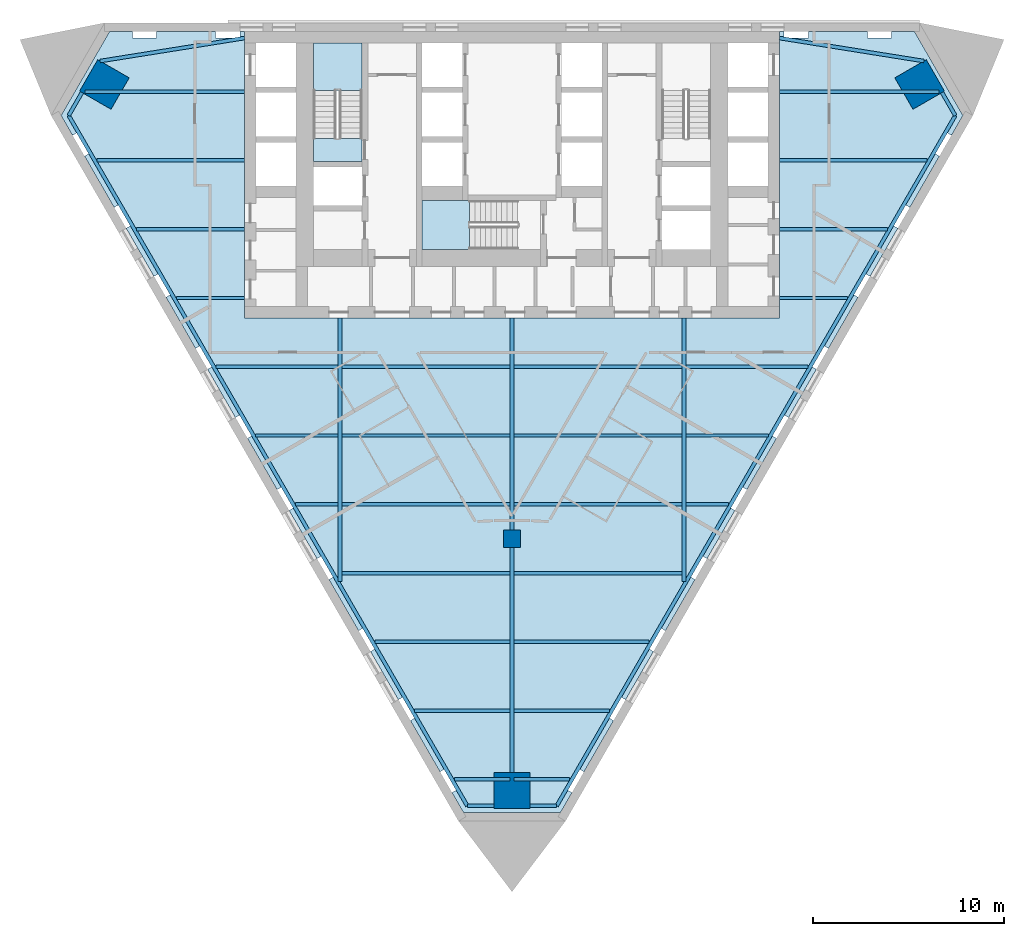
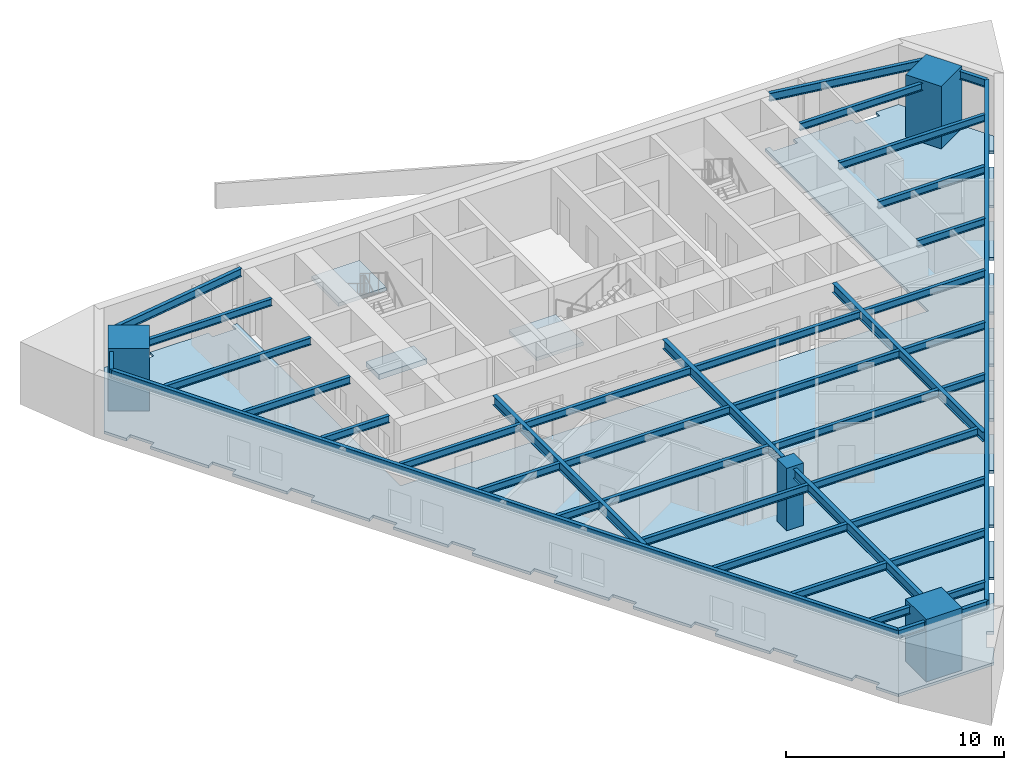
# One storey, part 1 of 10: 40 beams, 4 columns, 4 slabs, 2 elements without a shape of their own.
"""IFC4 building model written with IfcOpenShell, lengths in metres."""

from ifc_helpers import new_model, si_unit, direction, frame, origin, origin_2d, place, context, subcontext, project, spatial, polyline, rectangle, i_section, outline, extrude, material, layer, layer_set, material_profile, profile_set, type_object, element, aggregate, save


model = new_model("IFC4")

# Units and contexts
model_context = context("Model", 3, precision=1e-05, world=origin(), true_north=direction((0.0, 1.0)))
body_context = subcontext(model_context, "Body", "Model", "MODEL_VIEW")
ifc_project = project(units=[si_unit("LENGTHUNIT", "METRE"), si_unit("AREAUNIT", "SQUARE_METRE"), si_unit("VOLUMEUNIT", "CUBIC_METRE"), si_unit("PLANEANGLEUNIT", "RADIAN"), si_unit("MASSUNIT", "GRAM", prefix="KILO")], contexts=[model_context])

# Site, building, storey
site_placement = place(None, origin())
site = spatial("IfcSite", under=ifc_project, at=site_placement, CompositionType="ELEMENT")
building_placement = place(site_placement, origin())
building = spatial("IfcBuilding", under=site, at=building_placement, Name="Aloe Facet Convention Tower", CompositionType="ELEMENT")
storey_placement = place(building_placement, frame((0.0, 0.0, 85.300048828125)))
storey = spatial("IfcBuildingStorey", under=building, at=storey_placement, Name="L20", CompositionType="ELEMENT", Elevation=85.300048828125)

# Columns
ifc_material_1 = material(Name="Concrete C70/85", Category="concrete")
ifc_material_profile_1 = material_profile(ifc_material_1, rectangle(XDim=0.89990234375, YDim=0.89990234375, at=origin_2d()), Name="SF-GC-Z2")
ifc_profile_set_1 = profile_set([ifc_material_profile_1], Name="Concrete C70/85")
column_type_1 = type_object("IfcColumnType", Name="SF-GC-Z2", PredefinedType="COLUMN", material=ifc_profile_set_1)
column_placement = place(storey_placement, frame((80.0, 108.0, 0.0), z_axis=(0.0, 0.0, 1.0), x_axis=(1.0, 0.0, 0.0)))
element("IfcColumn", 1, at=column_placement, inside=storey, type_object=column_type_1, Name="Gravity column GC-Z2-9D", PredefinedType="COLUMN", context=body_context, shape_type="SweptSolid", body=[
    extrude(rectangle(XDim=0.89990234375, YDim=0.89990234375, at=origin_2d()), origin(), (0.0, 0.0, 1.0), 3.5),
])
ifc_material_2 = material(Name="Concrete C80/95", Category="concrete")
ifc_material_profile_2 = material_profile(ifc_material_2, rectangle(XDim=1.89990234375, YDim=1.89990234375, at=origin_2d()), Name="STW-MC-Z2")
ifc_profile_set_2 = profile_set([ifc_material_profile_2], Name="Concrete C80/95")
column_type_2 = type_object("IfcColumnType", Name="STW-MC-Z2", PredefinedType="COLUMN", material=ifc_profile_set_2)
for number, where, z_axis, x_axis, name in (
    (2, (101.3359375, 131.775146484375, 0.0), (0.0, 0.0, 1.0), (-0.5, 0.866025403784, 0.0), "Mega-column MC-NE-L20"),
    (3, (58.6640625, 131.775146484375, 0.0), (0.0, 0.0, 1.0), (-0.5, -0.866025403784, 0.0), "Mega-column MC-NW-L20"),
    (4, (80.0, 94.8203125, 0.0), (0.0, 0.0, 1.0), (1.0, 0.0, 0.0), "Mega-column MC-S-L20"),
):
    element("IfcColumn", number, at=place(storey_placement, frame(where, z_axis=z_axis, x_axis=x_axis)), inside=storey, type_object=column_type_2, Name=name, PredefinedType="COLUMN", context=body_context, shape_type="SweptSolid", body=[
        extrude(rectangle(XDim=1.89990234375, YDim=1.89990234375, at=origin_2d()), origin(), (0.0, 0.0, 1.0), 3.5),
    ])

# Beams
ifc_material_3 = material(Name="Steel S355", Category="steel")
ifc_material_profile_3 = material_profile(ifc_material_3, i_section(OverallWidth=0.177734375, OverallDepth=0.402587890625, WebThickness=0.0078125, FlangeThickness=0.010986328125, FilletRadius=0.01025390625, at=origin_2d()), Name="UB 406x178x54")
ifc_profile_set_3 = profile_set([ifc_material_profile_3], Name="Steel S355")
beam_type_1 = type_object("IfcBeamType", Name="SF-B-UB406x178x54", PredefinedType="BEAM", material=ifc_profile_set_3)
beam_1_placement = place(storey_placement, frame((57.6376953125, 131.39990234375, 3.148681640625), z_axis=(1.0, 0.0, 0.0), x_axis=(0.0, 1.0, 0.0)))
element("IfcBeam", 5, at=beam_1_placement, inside=storey, type_object=beam_type_1, Name="Floor beam FB-Z2B-013", PredefinedType="BEAM", context=body_context, shape_type="SweptSolid", body=[
    extrude(i_section(OverallWidth=0.177734375, OverallDepth=0.402587890625, WebThickness=0.0078125, FlangeThickness=0.010986328125, FilletRadius=0.01025390625, at=origin_2d()), origin(), (0.0, 0.0, 1.0), 8.3623046875),
])
beam_2_placement = place(storey_placement, frame((58.27294921875, 127.800048828125, 3.148681640625), z_axis=(1.0, 0.0, 0.0), x_axis=(0.0, 1.0, 0.0)))
element("IfcBeam", 6, at=beam_2_placement, inside=storey, type_object=beam_type_1, Name="Floor beam FB-Z2B-014", PredefinedType="BEAM", context=body_context, shape_type="SweptSolid", body=[
    extrude(i_section(OverallWidth=0.177734375, OverallDepth=0.402587890625, WebThickness=0.0078125, FlangeThickness=0.010986328125, FilletRadius=0.01025390625, at=origin_2d()), origin(), (0.0, 0.0, 1.0), 7.72705078125),
])
beam_3_placement = place(storey_placement, frame((60.351318359375, 124.199951171875, 3.148681640625), z_axis=(1.0, 0.0, 0.0), x_axis=(0.0, 1.0, 0.0)))
element("IfcBeam", 7, at=beam_3_placement, inside=storey, type_object=beam_type_1, Name="Floor beam FB-Z2B-015", PredefinedType="BEAM", context=body_context, shape_type="SweptSolid", body=[
    extrude(i_section(OverallWidth=0.177734375, OverallDepth=0.402587890625, WebThickness=0.0078125, FlangeThickness=0.010986328125, FilletRadius=0.01025390625, at=origin_2d()), origin(), (0.0, 0.0, 1.0), 5.648681640625),
])
beam_4_placement = place(storey_placement, frame((62.429931640625, 120.60009765625, 3.148681640625), z_axis=(1.0, 0.0, 0.0), x_axis=(0.0, 1.0, 0.0)))
element("IfcBeam", 8, at=beam_4_placement, inside=storey, type_object=beam_type_1, Name="Floor beam FB-Z2B-016", PredefinedType="BEAM", context=body_context, shape_type="SweptSolid", body=[
    extrude(i_section(OverallWidth=0.177734375, OverallDepth=0.402587890625, WebThickness=0.0078125, FlangeThickness=0.010986328125, FilletRadius=0.01025390625, at=origin_2d()), origin(), (0.0, 0.0, 1.0), 3.570068359375),
])
beam_5_placement = place(storey_placement, frame((64.50830078125, 117.0, 3.148681640625), z_axis=(1.0, 0.0, 0.0), x_axis=(0.0, 1.0, 0.0)))
element("IfcBeam", 9, at=beam_5_placement, inside=storey, type_object=beam_type_1, Name="Floor beam FB-Z2B-017", PredefinedType="BEAM", context=body_context, shape_type="SweptSolid", body=[
    extrude(i_section(OverallWidth=0.177734375, OverallDepth=0.402587890625, WebThickness=0.0078125, FlangeThickness=0.010986328125, FilletRadius=0.01025390625, at=origin_2d()), origin(), (0.0, 0.0, 1.0), 6.38623046875),
])
beam_6_placement = place(storey_placement, frame((66.5869140625, 113.39990234375, 3.148681640625), z_axis=(1.0, 0.0, 0.0), x_axis=(0.0, 1.0, 0.0)))
element("IfcBeam", 10, at=beam_6_placement, inside=storey, type_object=beam_type_1, Name="Floor beam FB-Z2B-018", PredefinedType="BEAM", context=body_context, shape_type="SweptSolid", body=[
    extrude(i_section(OverallWidth=0.177734375, OverallDepth=0.402587890625, WebThickness=0.0078125, FlangeThickness=0.010986328125, FilletRadius=0.01025390625, at=origin_2d()), origin(), (0.0, 0.0, 1.0), 4.3076171875),
])
beam_7_placement = place(storey_placement, frame((68.665283203125, 109.800048828125, 3.148681640625), z_axis=(1.0, 0.0, 0.0), x_axis=(0.0, 1.0, 0.0)))
element("IfcBeam", 11, at=beam_7_placement, inside=storey, type_object=beam_type_1, Name="Floor beam FB-Z2B-019", PredefinedType="BEAM", context=body_context, shape_type="SweptSolid", body=[
    extrude(i_section(OverallWidth=0.177734375, OverallDepth=0.402587890625, WebThickness=0.0078125, FlangeThickness=0.010986328125, FilletRadius=0.01025390625, at=origin_2d()), origin(), (0.0, 0.0, 1.0), 2.229248046875),
])
for number, where, z_axis, x_axis, name in (
    (12, (71.10546875, 106.199951171875, 3.148681640625), (1.0, 0.0, 0.0), (0.0, 1.0, 0.0), "Floor beam FB-Z2B-020"),
    (13, (71.10546875, 109.800048828125, 3.148681640625), (1.0, 0.0, 0.0), (0.0, 1.0, 0.0), "Floor beam FB-Z2B-021"),
    (14, (71.10546875, 113.39990234375, 3.148681640625), (1.0, 0.0, 0.0), (0.0, 1.0, 0.0), "Floor beam FB-Z2B-022"),
    (15, (71.10546875, 117.0, 3.148681640625), (1.0, 0.0, 0.0), (0.0, 1.0, 0.0), "Floor beam FB-Z2B-023"),
):
    element("IfcBeam", number, at=place(storey_placement, frame(where, z_axis=z_axis, x_axis=x_axis)), inside=storey, type_object=beam_type_1, Name=name, PredefinedType="BEAM", context=body_context, shape_type="SweptSolid", body=[
        extrude(i_section(OverallWidth=0.177734375, OverallDepth=0.402587890625, WebThickness=0.0078125, FlangeThickness=0.010986328125, FilletRadius=0.01025390625, at=origin_2d()), origin(), (0.0, 0.0, 1.0), 8.7890625),
    ])
beam_8_placement = place(storey_placement, frame((72.822265625, 102.60009765625, 3.148681640625), z_axis=(1.0, 0.0, 0.0), x_axis=(0.0, 1.0, 0.0)))
element("IfcBeam", 16, at=beam_8_placement, inside=storey, type_object=beam_type_1, Name="Floor beam FB-Z2B-024", PredefinedType="BEAM", context=body_context, shape_type="SweptSolid", body=[
    extrude(i_section(OverallWidth=0.177734375, OverallDepth=0.402587890625, WebThickness=0.0078125, FlangeThickness=0.010986328125, FilletRadius=0.01025390625, at=origin_2d()), origin(), (0.0, 0.0, 1.0), 7.072265625),
])
beam_9_placement = place(storey_placement, frame((74.900634765625, 99.0, 3.148681640625), z_axis=(1.0, 0.0, 0.0), x_axis=(0.0, 1.0, 0.0)))
element("IfcBeam", 17, at=beam_9_placement, inside=storey, type_object=beam_type_1, Name="Floor beam FB-Z2B-025", PredefinedType="BEAM", context=body_context, shape_type="SweptSolid", body=[
    extrude(i_section(OverallWidth=0.177734375, OverallDepth=0.402587890625, WebThickness=0.0078125, FlangeThickness=0.010986328125, FilletRadius=0.01025390625, at=origin_2d()), origin(), (0.0, 0.0, 1.0), 4.993896484375),
])
for number, where, z_axis, x_axis, name in (
    (18, (76.97900390625, 95.39990234375, 3.148681640625), (1.0, 0.0, 0.0), (0.0, 1.0, 0.0), "Floor beam FB-Z2B-026"),
    (19, (80.10546875, 95.39990234375, 3.148681640625), (1.0, 0.0, 0.0), (0.0, 1.0, 0.0), "Floor beam FB-Z2B-027"),
):
    element("IfcBeam", number, at=place(storey_placement, frame(where, z_axis=z_axis, x_axis=x_axis)), inside=storey, type_object=beam_type_1, Name=name, PredefinedType="BEAM", context=body_context, shape_type="SweptSolid", body=[
        extrude(i_section(OverallWidth=0.177734375, OverallDepth=0.402587890625, WebThickness=0.0078125, FlangeThickness=0.010986328125, FilletRadius=0.01025390625, at=origin_2d()), origin(), (0.0, 0.0, 1.0), 2.91552734375),
    ])
beam_10_placement = place(storey_placement, frame((80.10546875, 99.0, 3.148681640625), z_axis=(1.0, 0.0, 0.0), x_axis=(0.0, 1.0, 0.0)))
element("IfcBeam", 20, at=beam_10_placement, inside=storey, type_object=beam_type_1, Name="Floor beam FB-Z2B-028", PredefinedType="BEAM", context=body_context, shape_type="SweptSolid", body=[
    extrude(i_section(OverallWidth=0.177734375, OverallDepth=0.402587890625, WebThickness=0.0078125, FlangeThickness=0.010986328125, FilletRadius=0.01025390625, at=origin_2d()), origin(), (0.0, 0.0, 1.0), 4.993896484375),
])
beam_11_placement = place(storey_placement, frame((80.10546875, 102.60009765625, 3.148681640625), z_axis=(1.0, 0.0, 0.0), x_axis=(0.0, 1.0, 0.0)))
element("IfcBeam", 21, at=beam_11_placement, inside=storey, type_object=beam_type_1, Name="Floor beam FB-Z2B-029", PredefinedType="BEAM", context=body_context, shape_type="SweptSolid", body=[
    extrude(i_section(OverallWidth=0.177734375, OverallDepth=0.402587890625, WebThickness=0.0078125, FlangeThickness=0.010986328125, FilletRadius=0.01025390625, at=origin_2d()), origin(), (0.0, 0.0, 1.0), 7.072265625),
])
for number, where, z_axis, x_axis, name in (
    (22, (80.10546875, 106.199951171875, 3.148681640625), (1.0, 0.0, 0.0), (0.0, 1.0, 0.0), "Floor beam FB-Z2B-030"),
    (23, (80.10546875, 109.800048828125, 3.148681640625), (1.0, 0.0, 0.0), (0.0, 1.0, 0.0), "Floor beam FB-Z2B-031"),
    (24, (80.10546875, 113.39990234375, 3.148681640625), (1.0, 0.0, 0.0), (0.0, 1.0, 0.0), "Floor beam FB-Z2B-032"),
    (25, (80.10546875, 117.0, 3.148681640625), (1.0, 0.0, 0.0), (0.0, 1.0, 0.0), "Floor beam FB-Z2B-033"),
):
    element("IfcBeam", number, at=place(storey_placement, frame(where, z_axis=z_axis, x_axis=x_axis)), inside=storey, type_object=beam_type_1, Name=name, PredefinedType="BEAM", context=body_context, shape_type="SweptSolid", body=[
        extrude(i_section(OverallWidth=0.177734375, OverallDepth=0.402587890625, WebThickness=0.0078125, FlangeThickness=0.010986328125, FilletRadius=0.01025390625, at=origin_2d()), origin(), (0.0, 0.0, 1.0), 8.7890625),
    ])
beam_12_placement = place(storey_placement, frame((89.10546875, 109.800048828125, 3.148681640625), z_axis=(1.0, 0.0, 0.0), x_axis=(0.0, 1.0, 0.0)))
element("IfcBeam", 26, at=beam_12_placement, inside=storey, type_object=beam_type_1, Name="Floor beam FB-Z2B-034", PredefinedType="BEAM", context=body_context, shape_type="SweptSolid", body=[
    extrude(i_section(OverallWidth=0.177734375, OverallDepth=0.402587890625, WebThickness=0.0078125, FlangeThickness=0.010986328125, FilletRadius=0.01025390625, at=origin_2d()), origin(), (0.0, 0.0, 1.0), 2.229248046875),
])
beam_13_placement = place(storey_placement, frame((89.10546875, 113.39990234375, 3.148681640625), z_axis=(1.0, 0.0, 0.0), x_axis=(0.0, 1.0, 0.0)))
element("IfcBeam", 27, at=beam_13_placement, inside=storey, type_object=beam_type_1, Name="Floor beam FB-Z2B-035", PredefinedType="BEAM", context=body_context, shape_type="SweptSolid", body=[
    extrude(i_section(OverallWidth=0.177734375, OverallDepth=0.402587890625, WebThickness=0.0078125, FlangeThickness=0.010986328125, FilletRadius=0.01025390625, at=origin_2d()), origin(), (0.0, 0.0, 1.0), 4.3076171875),
])
beam_14_placement = place(storey_placement, frame((89.10546875, 117.0, 3.148681640625), z_axis=(1.0, 0.0, 0.0), x_axis=(0.0, 1.0, 0.0)))
element("IfcBeam", 28, at=beam_14_placement, inside=storey, type_object=beam_type_1, Name="Floor beam FB-Z2B-036", PredefinedType="BEAM", context=body_context, shape_type="SweptSolid", body=[
    extrude(i_section(OverallWidth=0.177734375, OverallDepth=0.402587890625, WebThickness=0.0078125, FlangeThickness=0.010986328125, FilletRadius=0.01025390625, at=origin_2d()), origin(), (0.0, 0.0, 1.0), 6.38623046875),
])
beam_15_placement = place(storey_placement, frame((94.0, 120.60009765625, 3.148681640625), z_axis=(1.0, 0.0, 0.0), x_axis=(0.0, 1.0, 0.0)))
element("IfcBeam", 29, at=beam_15_placement, inside=storey, type_object=beam_type_1, Name="Floor beam FB-Z2B-037", PredefinedType="BEAM", context=body_context, shape_type="SweptSolid", body=[
    extrude(i_section(OverallWidth=0.177734375, OverallDepth=0.402587890625, WebThickness=0.0078125, FlangeThickness=0.010986328125, FilletRadius=0.01025390625, at=origin_2d()), origin(), (0.0, 0.0, 1.0), 3.570068359375),
])
beam_16_placement = place(storey_placement, frame((94.0, 124.199951171875, 3.148681640625), z_axis=(1.0, 0.0, 0.0), x_axis=(0.0, 1.0, 0.0)))
element("IfcBeam", 30, at=beam_16_placement, inside=storey, type_object=beam_type_1, Name="Floor beam FB-Z2B-038", PredefinedType="BEAM", context=body_context, shape_type="SweptSolid", body=[
    extrude(i_section(OverallWidth=0.177734375, OverallDepth=0.402587890625, WebThickness=0.0078125, FlangeThickness=0.010986328125, FilletRadius=0.01025390625, at=origin_2d()), origin(), (0.0, 0.0, 1.0), 5.648681640625),
])
beam_17_placement = place(storey_placement, frame((94.0, 127.800048828125, 3.148681640625), z_axis=(1.0, 0.0, 0.0), x_axis=(0.0, 1.0, 0.0)))
element("IfcBeam", 31, at=beam_17_placement, inside=storey, type_object=beam_type_1, Name="Floor beam FB-Z2B-039", PredefinedType="BEAM", context=body_context, shape_type="SweptSolid", body=[
    extrude(i_section(OverallWidth=0.177734375, OverallDepth=0.402587890625, WebThickness=0.0078125, FlangeThickness=0.010986328125, FilletRadius=0.01025390625, at=origin_2d()), origin(), (0.0, 0.0, 1.0), 7.72705078125),
])
beam_18_placement = place(storey_placement, frame((94.0, 131.39990234375, 3.148681640625), z_axis=(1.0, 0.0, 0.0), x_axis=(0.0, 1.0, 0.0)))
element("IfcBeam", 32, at=beam_18_placement, inside=storey, type_object=beam_type_1, Name="Floor beam FB-Z2B-040", PredefinedType="BEAM", context=body_context, shape_type="SweptSolid", body=[
    extrude(i_section(OverallWidth=0.177734375, OverallDepth=0.402587890625, WebThickness=0.0078125, FlangeThickness=0.010986328125, FilletRadius=0.01025390625, at=origin_2d()), origin(), (0.0, 0.0, 1.0), 8.3623046875),
])
ifc_material_4 = material(Name="Steel S355", Category="steel")
ifc_material_profile_4 = material_profile(ifc_material_4, i_section(OverallWidth=0.18994140625, OverallDepth=0.453369140625, WebThickness=0.008544921875, FlangeThickness=0.0126953125, FilletRadius=0.01025390625, at=origin_2d()), Name="UB 457x191x67")
ifc_profile_set_4 = profile_set([ifc_material_profile_4], Name="Steel S355")
beam_type_2 = type_object("IfcBeamType", Name="SF-B-UB457x191x67", PredefinedType="BEAM", material=ifc_profile_set_4)
beam_19_placement = place(storey_placement, frame((56.79638671875, 130.150390625, 3.123291015625), z_axis=(0.500046568876, 0.865998515562, 0.0), x_axis=(-0.865998515562, 0.500046568876, 0.0)))
element("IfcBeam", 33, at=beam_19_placement, inside=storey, type_object=beam_type_2, Name="Floor beam FB-Z2B-001", PredefinedType="BEAM", context=body_context, shape_type="SweptSolid", body=[
    extrude(i_section(OverallWidth=0.18994140625, OverallDepth=0.453369140625, WebThickness=0.008544921875, FlangeThickness=0.0126953125, FilletRadius=0.01025390625, at=origin_2d()), origin(), (0.0, 0.0, 1.0), 1.390869140625),
])
beam_20_placement = place(storey_placement, frame((58.44189453125, 133.00048828125, 3.123291015625), z_axis=(0.987536396348, 0.15739080624, 0.0), x_axis=(-0.15739080624, 0.987536396348, 0.0)))
element("IfcBeam", 34, at=beam_20_placement, inside=storey, type_object=beam_type_2, Name="Floor beam FB-Z2B-002", PredefinedType="BEAM", context=body_context, shape_type="SweptSolid", body=[
    extrude(i_section(OverallWidth=0.18994140625, OverallDepth=0.453369140625, WebThickness=0.008544921875, FlangeThickness=0.0126953125, FilletRadius=0.01025390625, at=origin_2d()), origin(), (0.0, 0.0, 1.0), 7.653564453125),
])
beam_21_placement = place(storey_placement, frame((77.658935546875, 94.01513671875, 3.123291015625), z_axis=(-0.499997308433, 0.866026957756, 0.0), x_axis=(-0.866026957756, -0.499997308433, 0.0)))
element("IfcBeam", 35, at=beam_21_placement, inside=storey, type_object=beam_type_2, Name="Floor beam FB-Z2B-003", PredefinedType="BEAM", context=body_context, shape_type="SweptSolid", body=[
    extrude(i_section(OverallWidth=0.18994140625, OverallDepth=0.453369140625, WebThickness=0.008544921875, FlangeThickness=0.0126953125, FilletRadius=0.01025390625, at=origin_2d()), origin(), (0.0, 0.0, 1.0), 41.725341796875),
])
for number, where, z_axis, x_axis, name in (
    (36, (79.050048828125, 94.01513671875, 3.123291015625), (-1.0, 0.0, 0.0), (0.0, -1.0, 0.0), "Floor beam FB-Z2B-004"),
    (37, (82.341064453125, 94.01513671875, 3.123291015625), (-1.0, 0.0, 0.0), (0.0, -1.0, 0.0), "Floor beam FB-Z2B-005"),
):
    element("IfcBeam", number, at=place(storey_placement, frame(where, z_axis=z_axis, x_axis=x_axis)), inside=storey, type_object=beam_type_2, Name=name, PredefinedType="BEAM", context=body_context, shape_type="SweptSolid", body=[
        extrude(i_section(OverallWidth=0.18994140625, OverallDepth=0.453369140625, WebThickness=0.008544921875, FlangeThickness=0.0126953125, FilletRadius=0.01025390625, at=origin_2d()), origin(), (0.0, 0.0, 1.0), 1.39111328125),
    ])
beam_22_placement = place(storey_placement, frame((101.55810546875, 133.00048828125, 3.123291015625), z_axis=(-0.987536396348, 0.15739080624, 0.0), x_axis=(-0.15739080624, -0.987536396348, 0.0)))
element("IfcBeam", 38, at=beam_22_placement, inside=storey, type_object=beam_type_2, Name="Floor beam FB-Z2B-006", PredefinedType="BEAM", context=body_context, shape_type="SweptSolid", body=[
    extrude(i_section(OverallWidth=0.18994140625, OverallDepth=0.453369140625, WebThickness=0.008544921875, FlangeThickness=0.0126953125, FilletRadius=0.01025390625, at=origin_2d()), origin(), (0.0, 0.0, 1.0), 7.653564453125),
])
beam_23_placement = place(storey_placement, frame((102.508056640625, 131.35498046875, 3.123291015625), z_axis=(0.500046568876, -0.865998515562, 0.0), x_axis=(0.865998515562, 0.500046568876, 0.0)))
element("IfcBeam", 39, at=beam_23_placement, inside=storey, type_object=beam_type_2, Name="Floor beam FB-Z2B-007", PredefinedType="BEAM", context=body_context, shape_type="SweptSolid", body=[
    extrude(i_section(OverallWidth=0.18994140625, OverallDepth=0.453369140625, WebThickness=0.008544921875, FlangeThickness=0.0126953125, FilletRadius=0.01025390625, at=origin_2d()), origin(), (0.0, 0.0, 1.0), 1.390869140625),
])
beam_24_placement = place(storey_placement, frame((103.20361328125, 130.150390625, 3.123291015625), z_axis=(-0.499997308433, -0.866026957756, 0.0), x_axis=(0.866026957756, -0.499997308433, 0.0)))
element("IfcBeam", 40, at=beam_24_placement, inside=storey, type_object=beam_type_2, Name="Floor beam FB-Z2B-008", PredefinedType="BEAM", context=body_context, shape_type="SweptSolid", body=[
    extrude(i_section(OverallWidth=0.18994140625, OverallDepth=0.453369140625, WebThickness=0.008544921875, FlangeThickness=0.0126953125, FilletRadius=0.01025390625, at=origin_2d()), origin(), (0.0, 0.0, 1.0), 41.725341796875),
])
ifc_material_5 = material(Name="Steel S355", Category="steel")
ifc_material_profile_5 = material_profile(ifc_material_5, i_section(OverallWidth=0.210693359375, OverallDepth=0.53955078125, WebThickness=0.01171875, FlangeThickness=0.018798828125, FilletRadius=0.0126953125, at=origin_2d()), Name="UB 533x210x109")
ifc_profile_set_5 = profile_set([ifc_material_profile_5], Name="Steel S355")
beam_type_3 = type_object("IfcBeamType", Name="SF-B-UB533x210x109", PredefinedType="BEAM", material=ifc_profile_set_5)
beam_25_placement = place(storey_placement, frame((71.0, 119.550048828125, 3.080078125), z_axis=(0.0, -1.0, 0.0), x_axis=(1.0, 0.0, 0.0)))
element("IfcBeam", 41, at=beam_25_placement, inside=storey, type_object=beam_type_3, Name="Floor beam FB-Z2B-009", PredefinedType="BEAM", context=body_context, shape_type="SweptSolid", body=[
    extrude(i_section(OverallWidth=0.210693359375, OverallDepth=0.53955078125, WebThickness=0.01171875, FlangeThickness=0.018798828125, FilletRadius=0.0126953125, at=origin_2d()), origin(), (0.0, 0.0, 1.0), 13.80126953125),
])
beam_26_placement = place(storey_placement, frame((80.0, 107.550048828125, 3.080078125), z_axis=(0.0, -1.0, 0.0), x_axis=(1.0, 0.0, 0.0)))
element("IfcBeam", 42, at=beam_26_placement, inside=storey, type_object=beam_type_3, Name="Floor beam FB-Z2B-010", PredefinedType="BEAM", context=body_context, shape_type="SweptSolid", body=[
    extrude(i_section(OverallWidth=0.210693359375, OverallDepth=0.53955078125, WebThickness=0.01171875, FlangeThickness=0.018798828125, FilletRadius=0.0126953125, at=origin_2d()), origin(), (0.0, 0.0, 1.0), 13.429931640625),
])
beam_27_placement = place(storey_placement, frame((80.0, 119.550048828125, 3.080078125), z_axis=(0.0, -1.0, 0.0), x_axis=(1.0, 0.0, 0.0)))
element("IfcBeam", 43, at=beam_27_placement, inside=storey, type_object=beam_type_3, Name="Floor beam FB-Z2B-011", PredefinedType="BEAM", context=body_context, shape_type="SweptSolid", body=[
    extrude(i_section(OverallWidth=0.210693359375, OverallDepth=0.53955078125, WebThickness=0.01171875, FlangeThickness=0.018798828125, FilletRadius=0.0126953125, at=origin_2d()), origin(), (0.0, 0.0, 1.0), 11.10009765625),
])
beam_28_placement = place(storey_placement, frame((89.0, 119.550048828125, 3.080078125), z_axis=(0.0, -1.0, 0.0), x_axis=(1.0, 0.0, 0.0)))
element("IfcBeam", 44, at=beam_28_placement, inside=storey, type_object=beam_type_3, Name="Floor beam FB-Z2B-012", PredefinedType="BEAM", context=body_context, shape_type="SweptSolid", body=[
    extrude(i_section(OverallWidth=0.210693359375, OverallDepth=0.53955078125, WebThickness=0.01171875, FlangeThickness=0.018798828125, FilletRadius=0.0126953125, at=origin_2d()), origin(), (0.0, 0.0, 1.0), 13.80126953125),
])

# Slab
ifc_material_6 = material(Name="Concrete C70/85", Category="concrete")
ifc_layer_1 = layer(ifc_material_6, 0.300048828125)
ifc_layer_set_1 = layer_set([ifc_layer_1], Name="CR-S-FLOOR300-C7085")
slab_type_1 = type_object("IfcSlabType", Name="CR-S-FLOOR300-C7085", PredefinedType="FLOOR", material=ifc_layer_set_1)
slab_1_placement = place(storey_placement, frame((0.0, 0.0, -0.300048828125)))
element("IfcSlab", 45, at=slab_1_placement, inside=storey, type_object=slab_type_1, Name="Stair landing floor L20", PredefinedType="FLOOR", context=body_context, shape_type="SweptSolid", body=[
    extrude(outline(polyline([(72.14990234375, 127.75), (72.14990234375, 128.951171875), (69.60009765625, 128.951171875), (69.60009765625, 127.75), (72.14990234375, 127.75)])), origin(), (0.0, 0.0, 1.0), 0.300048828125),
])

# Stair, slab
ifc_material_7 = material(Name="Concrete C50/60", Category="concrete")
stair_type = type_object("IfcStairType", Name="CR-ST-20R", PredefinedType="HALF_TURN_STAIR", material=ifc_material_7)
stair_1_placement = place(storey_placement, origin())
stair_1 = element("IfcStair", 46, at=stair_1_placement, inside=storey, type_object=stair_type, Name="L20 Protected exit stair ST1", PredefinedType="HALF_TURN_STAIR")
ifc_material_8 = material(Name="Concrete C50/60", Category="concrete")
ifc_layer_2 = layer(ifc_material_8, 0.199951171875)
ifc_layer_set_2 = layer_set([ifc_layer_2], Name="CR-SL-LANDING")
slab_type_2 = type_object("IfcSlabType", Name="CR-SL-LANDING", PredefinedType="LANDING", material=ifc_layer_set_2)
slab_2_placement = place(storey_placement, frame((0.0, 0.0, 1.550048828125)))
slab_2 = element("IfcSlab", 47, at=slab_2_placement, type_object=slab_type_2, Name="ST1 landing 1", PredefinedType="LANDING", context=body_context, shape_type="SweptSolid", body=[
    extrude(outline(polyline([(72.14990234375, 131.469970703125), (72.14990234375, 133.949951171875), (69.60009765625, 133.949951171875), (69.60009765625, 131.469970703125), (72.14990234375, 131.469970703125)])), origin(), (0.0, 0.0, 1.0), 0.199951171875),
])
aggregate(stair_1, [slab_2])

stair_2_placement = place(storey_placement, origin())
stair_2 = element("IfcStair", 48, at=stair_2_placement, inside=storey, type_object=stair_type, Name="L20 Protected exit stair ST3", PredefinedType="HALF_TURN_STAIR")
slab_3_placement = place(storey_placement, frame((0.0, 0.0, 1.550048828125)))
slab_3 = element("IfcSlab", 49, at=slab_3_placement, type_object=slab_type_2, Name="ST3 landing 1", PredefinedType="LANDING", context=body_context, shape_type="SweptSolid", body=[
    extrude(outline(polyline([(77.780029296875, 125.699951171875), (75.300048828125, 125.699951171875), (75.300048828125, 123.14990234375), (77.780029296875, 123.14990234375), (77.780029296875, 125.699951171875)])), origin(), (0.0, 0.0, 1.0), 0.199951171875),
])
aggregate(stair_2, [slab_3])

# Slab
ifc_material_9 = material(Name="Concrete C35/45", Category="concrete")
ifc_layer_3 = layer(ifc_material_9, 0.14990234375)
ifc_layer_set_3 = layer_set([ifc_layer_3], Name="SF-FS-150")
slab_type_3 = type_object("IfcSlabType", Name="SF-FS-150", PredefinedType="FLOOR", material=ifc_layer_set_3)
slab_4_placement = place(storey_placement, frame((0.0, 0.0, -0.150146484375)))
element("IfcSlab", 50, at=slab_4_placement, inside=storey, type_object=slab_type_3, Name="Floor slab L20-1", PredefinedType="FLOOR", context=body_context, shape_type="SweptSolid", body=[
    extrude(outline(polyline([(103.601806640625, 130.150390625), (103.004150390625, 129.114990234375), (102.701171875, 129.289794921875), (102.06982421875, 128.19677734375), (102.373046875, 128.021728515625), (100.826416015625, 125.3427734375), (100.523193359375, 125.517822265625), (99.89208984375, 124.424560546875), (100.1953125, 124.24951171875), (98.739990234375, 121.72900390625), (98.436767578125, 121.90380859375), (97.8056640625, 120.810791015625), (98.108642578125, 120.6357421875), (96.56201171875, 117.956787109375), (96.2587890625, 118.1318359375), (95.627685546875, 117.03857421875), (95.930908203125, 116.863525390625), (94.4755859375, 114.343017578125), (94.172607421875, 114.517822265625), (93.541259765625, 113.4248046875), (93.844482421875, 113.249755859375), (92.297607421875, 110.57080078125), (91.99462890625, 110.745849609375), (91.36328125, 109.652587890625), (91.66650390625, 109.4775390625), (90.211181640625, 106.956787109375), (89.908203125, 107.1318359375), (89.277099609375, 106.038818359375), (89.580078125, 105.86376953125), (88.033447265625, 103.184814453125), (87.730224609375, 103.35986328125), (87.09912109375, 102.2666015625), (87.402099609375, 102.091552734375), (85.947021484375, 99.57080078125), (85.643798828125, 99.745849609375), (85.0126953125, 98.652587890625), (85.31591796875, 98.477783203125), (83.76904296875, 95.798828125), (83.466064453125, 95.973876953125), (82.834716796875, 94.880615234375), (83.137939453125, 94.70556640625), (82.540283203125, 93.67041015625), (77.459716796875, 93.67041015625), (76.862060546875, 94.70556640625), (77.165283203125, 94.880615234375), (76.533935546875, 95.973876953125), (76.23095703125, 95.798828125), (74.68408203125, 98.477783203125), (74.9873046875, 98.652587890625), (74.356201171875, 99.745849609375), (74.052978515625, 99.57080078125), (72.597900390625, 102.091552734375), (72.90087890625, 102.2666015625), (72.269775390625, 103.35986328125), (71.966552734375, 103.184814453125), (70.419921875, 105.86376953125), (70.722900390625, 106.038818359375), (70.091796875, 107.1318359375), (69.788818359375, 106.956787109375), (68.33349609375, 109.4775390625), (68.63671875, 109.652587890625), (68.00537109375, 110.745849609375), (67.702392578125, 110.57080078125), (66.155517578125, 113.249755859375), (66.458740234375, 113.4248046875), (65.827392578125, 114.517822265625), (65.5244140625, 114.343017578125), (64.069091796875, 116.863525390625), (64.372314453125, 117.03857421875), (63.7412109375, 118.1318359375), (63.43798828125, 117.956787109375), (61.891357421875, 120.6357421875), (62.1943359375, 120.810791015625), (61.563232421875, 121.90380859375), (61.260009765625, 121.72900390625), (59.8046875, 124.24951171875), (60.10791015625, 124.424560546875), (59.476806640625, 125.517822265625), (59.173583984375, 125.3427734375), (57.626953125, 128.021728515625), (57.93017578125, 128.19677734375), (57.298828125, 129.289794921875), (56.995849609375, 129.114990234375), (56.398193359375, 130.150390625), (58.938232421875, 134.550048828125), (60.1337890625, 134.550048828125), (60.1337890625, 134.199951171875), (61.39599609375, 134.199951171875), (61.39599609375, 134.550048828125), (64.489501953125, 134.550048828125), (64.489501953125, 134.199951171875), (65.751708984375, 134.199951171875), (65.751708984375, 134.550048828125), (66.0, 134.550048828125), (66.0, 131.949951171875), (66.0, 131.050048828125), (66.0, 129.35009765625), (66.0, 128.449951171875), (66.0, 126.449951171875), (66.0, 125.85009765625), (66.0, 124.689453125), (66.0, 123.639404296875), (66.0, 122.550048828125), (66.0, 121.5), (66.0, 119.550048828125), (68.699951171875, 119.550048828125), (69.300048828125, 119.550048828125), (72.10009765625, 119.550048828125), (73.14990234375, 119.550048828125), (74.300048828125, 119.550048828125), (75.35009765625, 119.550048828125), (76.433349609375, 119.550048828125), (77.4833984375, 119.550048828125), (78.566650390625, 119.550048828125), (79.61669921875, 119.550048828125), (80.699951171875, 119.550048828125), (81.75, 119.550048828125), (82.64990234375, 119.550048828125), (83.699951171875, 119.550048828125), (84.64990234375, 119.550048828125), (85.699951171875, 119.550048828125), (86.85009765625, 119.550048828125), (87.89990234375, 119.550048828125), (88.550048828125, 119.550048828125), (89.60009765625, 119.550048828125), (90.699951171875, 119.550048828125), (91.300048828125, 119.550048828125), (94.0, 119.550048828125), (94.0, 121.8212890625), (94.0, 122.871337890625), (94.0, 123.89990234375), (94.0, 124.949951171875), (94.0, 125.85009765625), (94.0, 126.449951171875), (94.0, 128.449951171875), (94.0, 129.35009765625), (94.0, 131.050048828125), (94.0, 131.949951171875), (94.0, 134.550048828125), (94.248291015625, 134.550048828125), (94.248291015625, 134.199951171875), (95.510498046875, 134.199951171875), (95.510498046875, 134.550048828125), (98.60400390625, 134.550048828125), (98.60400390625, 134.199951171875), (99.8662109375, 134.199951171875), (99.8662109375, 134.550048828125), (101.061767578125, 134.550048828125), (103.601806640625, 130.150390625)]), holes=[polyline([(80.449951171875, 107.550048828125), (80.449951171875, 108.449951171875), (79.550048828125, 108.449951171875), (79.550048828125, 107.550048828125), (80.449951171875, 107.550048828125)]), polyline([(58.31640625, 133.072998046875), (57.366455078125, 131.427490234375), (59.01171875, 130.477294921875), (59.9619140625, 132.122802734375), (58.31640625, 133.072998046875)]), polyline([(79.050048828125, 93.870361328125), (80.949951171875, 93.870361328125), (80.949951171875, 95.770263671875), (79.050048828125, 95.770263671875), (79.050048828125, 93.870361328125)]), polyline([(102.633544921875, 131.427490234375), (101.68359375, 133.072998046875), (100.0380859375, 132.122802734375), (100.98828125, 130.477294921875), (102.633544921875, 131.427490234375)])]), origin(), (0.0, 0.0, 1.0), 0.150146484375),
])

save(model, "model.ifc")
